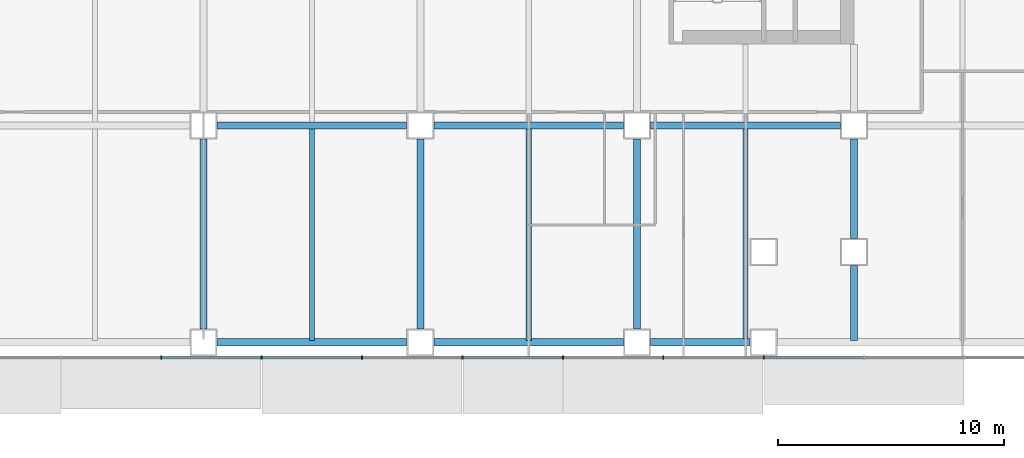
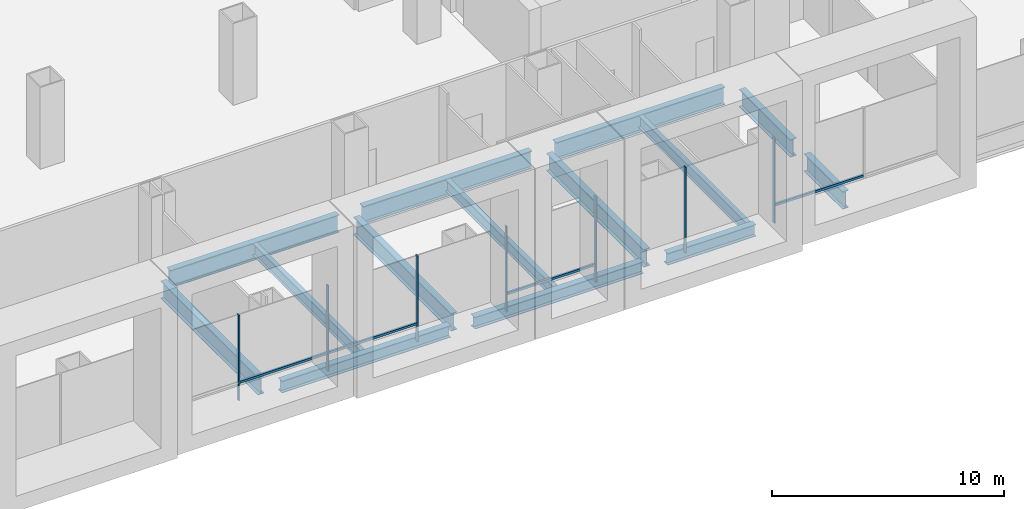
# One storey, part 4 of 23: 14 beams, 11 members, 1 element without a shape of its own.
"""IFC4 building model written with IfcOpenShell, lengths in metres."""

from ifc_helpers import new_model, si_unit, direction, frame, origin, origin_2d, place, context, subcontext, project, spatial, rectangle, i_section, extrude, material, material_profile, profile_set, type_object, element, aggregate, save


model = new_model("IFC4")

# Units and contexts
model_context = context("Model", 3, precision=1e-05, world=origin(), true_north=direction((0.0, 1.0)))
body_context = subcontext(model_context, "Body", "Model", "MODEL_VIEW")
ifc_project = project(units=[si_unit("LENGTHUNIT", "METRE"), si_unit("AREAUNIT", "SQUARE_METRE"), si_unit("VOLUMEUNIT", "CUBIC_METRE"), si_unit("PLANEANGLEUNIT", "RADIAN"), si_unit("MASSUNIT", "GRAM", prefix="KILO")], contexts=[model_context])

# Site, building, storey
site_placement = place(None, origin())
site = spatial("IfcSite", under=ifc_project, at=site_placement, CompositionType="ELEMENT")
building_placement = place(site_placement, origin())
building = spatial("IfcBuilding", under=site, at=building_placement, Name="Cobrizo Arcos Hotel Tower", CompositionType="ELEMENT")
storey_placement = place(building_placement, frame((0.0, 0.0, 15.5)))
storey = spatial("IfcBuildingStorey", under=building, at=storey_placement, Name="L02", CompositionType="ELEMENT", Elevation=15.5)

# Curtain wall, members
ifc_material_1 = material(Name="Aluminium 6063-T6 anodised bronze", Category="aluminium")
curtain_wall_type = type_object("IfcCurtainWallType", Name="CW-A guest facade", PredefinedType="NOTDEFINED", material=ifc_material_1)
curtain_wall_placement = place(storey_placement, origin())
curtain_wall = element("IfcCurtainWall", 1, at=curtain_wall_placement, inside=storey, type_object=curtain_wall_type, Name="CW-A L02 S face", PredefinedType="NOTDEFINED")
ifc_material_profile_1 = material_profile(ifc_material_1, rectangle(XDim=0.14990234375, YDim=0.06005859375, at=origin_2d()), Name="CW-A mullion 150x60")
ifc_profile_set_1 = profile_set([ifc_material_profile_1], Name="Aluminium 6063-T6 anodised bronze")
member_type_1 = type_object("IfcMemberType", Name="CW-A mullion 150x60", PredefinedType="MULLION", material=ifc_profile_set_1)
member_1_placement = place(storey_placement, frame((-6.666748046875, -24.675048828125, 0.0), z_axis=(0.0, 0.0, 1.0), x_axis=(0.0, -1.0, 0.0)))
member_1 = element("IfcMember", 2, at=member_1_placement, type_object=member_type_1, Name="CW-A mullion 8", PredefinedType="MULLION", context=body_context, shape_type="SweptSolid", body=[
    extrude(rectangle(XDim=0.14990234375, YDim=0.06005859375, at=origin_2d()), origin(), (0.0, 0.0, 1.0), 4.5),
])
member_2_placement = place(storey_placement, frame((-2.22216796875, -24.675048828125, 0.0), z_axis=(0.0, 0.0, 1.0), x_axis=(0.0, -1.0, 0.0)))
member_2 = element("IfcMember", 3, at=member_2_placement, type_object=member_type_1, Name="CW-A mullion 9", PredefinedType="MULLION", context=body_context, shape_type="SweptSolid", body=[
    extrude(rectangle(XDim=0.14990234375, YDim=0.06005859375, at=origin_2d()), origin(), (0.0, 0.0, 1.0), 4.5),
])
member_3_placement = place(storey_placement, frame((2.22216796875, -24.675048828125, 0.0), z_axis=(0.0, 0.0, 1.0), x_axis=(0.0, -1.0, 0.0)))
member_3 = element("IfcMember", 4, at=member_3_placement, type_object=member_type_1, Name="CW-A mullion 10", PredefinedType="MULLION", context=body_context, shape_type="SweptSolid", body=[
    extrude(rectangle(XDim=0.14990234375, YDim=0.06005859375, at=origin_2d()), origin(), (0.0, 0.0, 1.0), 4.5),
])
member_4_placement = place(storey_placement, frame((6.666748046875, -24.675048828125, 0.0), z_axis=(0.0, 0.0, 1.0), x_axis=(0.0, -1.0, 0.0)))
member_4 = element("IfcMember", 5, at=member_4_placement, type_object=member_type_1, Name="CW-A mullion 11", PredefinedType="MULLION", context=body_context, shape_type="SweptSolid", body=[
    extrude(rectangle(XDim=0.14990234375, YDim=0.06005859375, at=origin_2d()), origin(), (0.0, 0.0, 1.0), 4.5),
])
member_5_placement = place(storey_placement, frame((11.111083984375, -24.675048828125, 0.0), z_axis=(0.0, 0.0, 1.0), x_axis=(0.0, -1.0, 0.0)))
member_5 = element("IfcMember", 6, at=member_5_placement, type_object=member_type_1, Name="CW-A mullion 12", PredefinedType="MULLION", context=body_context, shape_type="SweptSolid", body=[
    extrude(rectangle(XDim=0.14990234375, YDim=0.06005859375, at=origin_2d()), origin(), (0.0, 0.0, 1.0), 4.5),
])
member_6_placement = place(storey_placement, frame((15.5556640625, -24.675048828125, 0.0), z_axis=(0.0, 0.0, 1.0), x_axis=(0.0, -1.0, 0.0)))
member_6 = element("IfcMember", 7, at=member_6_placement, type_object=member_type_1, Name="CW-A mullion 13", PredefinedType="MULLION", context=body_context, shape_type="SweptSolid", body=[
    extrude(rectangle(XDim=0.14990234375, YDim=0.06005859375, at=origin_2d()), origin(), (0.0, 0.0, 1.0), 4.5),
])
member_7_placement = place(storey_placement, frame((20.0, -24.675048828125, 0.0), z_axis=(0.0, 0.0, 1.0), x_axis=(0.0, -1.0, 0.0)))
member_7 = element("IfcMember", 8, at=member_7_placement, type_object=member_type_1, Name="CW-A mullion 14", PredefinedType="MULLION", context=body_context, shape_type="SweptSolid", body=[
    extrude(rectangle(XDim=0.14990234375, YDim=0.06005859375, at=origin_2d()), origin(), (0.0, 0.0, 1.0), 4.5),
])
ifc_material_profile_2 = material_profile(ifc_material_1, rectangle(XDim=0.10009765625, YDim=0.1201171875, at=origin_2d()), Name="CW-A transom 120x100")
ifc_profile_set_2 = profile_set([ifc_material_profile_2], Name="Aluminium 6063-T6 anodised bronze")
member_type_2 = type_object("IfcMemberType", Name="CW-A transom 120x100", PredefinedType="USERDEFINED", material=ifc_profile_set_2)
member_8_placement = place(storey_placement, frame((-6.63671875, -24.675048828125, 0.929931640625), z_axis=(1.0, 0.0, 0.0), x_axis=(0.0, 1.0, 0.0)))
member_8 = element("IfcMember", 9, at=member_8_placement, type_object=member_type_2, Name="CW-A transom 151", ObjectType="TRANSOM", PredefinedType="USERDEFINED", context=body_context, shape_type="SweptSolid", body=[
    extrude(rectangle(XDim=0.10009765625, YDim=0.1201171875, at=origin_2d()), origin(), (0.0, 0.0, 1.0), 4.384521484375),
])
member_9_placement = place(storey_placement, frame((-2.192138671875, -24.675048828125, 0.929931640625), z_axis=(1.0, 0.0, 0.0), x_axis=(0.0, 1.0, 0.0)))
member_9 = element("IfcMember", 10, at=member_9_placement, type_object=member_type_2, Name="CW-A transom 152", ObjectType="TRANSOM", PredefinedType="USERDEFINED", context=body_context, shape_type="SweptSolid", body=[
    extrude(rectangle(XDim=0.10009765625, YDim=0.1201171875, at=origin_2d()), origin(), (0.0, 0.0, 1.0), 4.38427734375),
])
member_10_placement = place(storey_placement, frame((6.69677734375, -24.675048828125, 0.929931640625), z_axis=(1.0, 0.0, 0.0), x_axis=(0.0, 1.0, 0.0)))
member_10 = element("IfcMember", 11, at=member_10_placement, type_object=member_type_2, Name="CW-A transom 154", ObjectType="TRANSOM", PredefinedType="USERDEFINED", context=body_context, shape_type="SweptSolid", body=[
    extrude(rectangle(XDim=0.10009765625, YDim=0.1201171875, at=origin_2d()), origin(), (0.0, 0.0, 1.0), 4.38427734375),
])
member_11_placement = place(storey_placement, frame((20.030029296875, -24.675048828125, 0.929931640625), z_axis=(1.0, 0.0, 0.0), x_axis=(0.0, 1.0, 0.0)))
member_11 = element("IfcMember", 12, at=member_11_placement, type_object=member_type_2, Name="CW-A transom 157", ObjectType="TRANSOM", PredefinedType="USERDEFINED", context=body_context, shape_type="SweptSolid", body=[
    extrude(rectangle(XDim=0.10009765625, YDim=0.1201171875, at=origin_2d()), origin(), (0.0, 0.0, 1.0), 4.384521484375),
])
aggregate(curtain_wall, [member_1, member_2, member_3, member_4, member_5, member_6, member_7, member_8, member_9, member_10, member_11])

# Beams
ifc_material_2 = material(Name="Steel ASTM A992 Grade 50", Category="steel")
ifc_material_profile_3 = material_profile(ifc_material_2, i_section(OverallWidth=0.32763671875, OverallDepth=0.622314453125, WebThickness=0.015380859375, FlangeThickness=0.0244140625, at=origin_2d()), Name="W24X131")
ifc_profile_set_3 = profile_set([ifc_material_profile_3], Name="Steel ASTM A992 Grade 50")
beam_type_1 = type_object("IfcBeamType", Name="W24X131 spandrel", PredefinedType="SPANDREL", material=ifc_profile_set_3)
beam_1_placement = place(storey_placement, frame((-4.199951171875, -24.0, -0.510986328125), z_axis=(1.0, 0.0, 0.0), x_axis=(0.0, 1.0, 0.0)))
element("IfcBeam", 13, at=beam_1_placement, inside=storey, type_object=beam_type_1, Name="Spandrel beam W24X131, L02, no. 011", PredefinedType="SPANDREL", context=body_context, shape_type="SweptSolid", body=[
    extrude(i_section(OverallWidth=0.32763671875, OverallDepth=0.622314453125, WebThickness=0.015380859375, FlangeThickness=0.0244140625, at=origin_2d()), origin(), (0.0, 0.0, 1.0), 8.39990234375),
])
beam_2_placement = place(storey_placement, frame((5.39990234375, -24.0, -0.510986328125), z_axis=(1.0, 0.0, 0.0), x_axis=(0.0, 1.0, 0.0)))
element("IfcBeam", 14, at=beam_2_placement, inside=storey, type_object=beam_type_1, Name="Spandrel beam W24X131, L02, no. 012", PredefinedType="SPANDREL", context=body_context, shape_type="SweptSolid", body=[
    extrude(i_section(OverallWidth=0.32763671875, OverallDepth=0.622314453125, WebThickness=0.015380859375, FlangeThickness=0.0244140625, at=origin_2d()), origin(), (0.0, 0.0, 1.0), 8.400146484375),
])
beam_3_placement = place(storey_placement, frame((15.0, -24.0, -0.510986328125), z_axis=(1.0, 0.0, 0.0), x_axis=(0.0, 1.0, 0.0)))
element("IfcBeam", 15, at=beam_3_placement, inside=storey, type_object=beam_type_1, Name="Spandrel beam W24X131, L02, no. 013", PredefinedType="SPANDREL", context=body_context, shape_type="SweptSolid", body=[
    extrude(i_section(OverallWidth=0.32763671875, OverallDepth=0.622314453125, WebThickness=0.015380859375, FlangeThickness=0.0244140625, at=origin_2d()), origin(), (0.0, 0.0, 1.0), 4.39990234375),
])
ifc_material_profile_4 = material_profile(ifc_material_2, i_section(OverallWidth=0.23046875, OverallDepth=0.6171875, WebThickness=0.01318359375, FlangeThickness=0.022216796875, at=origin_2d()), Name="W24X94")
ifc_profile_set_4 = profile_set([ifc_material_profile_4], Name="Steel ASTM A992 Grade 50")
beam_type_2 = type_object("IfcBeamType", Name="W24X94 podium joist", PredefinedType="JOIST", material=ifc_profile_set_4)
for number, where, z_axis, x_axis, name in (
    (16, (0.0, -23.909912109375, -0.508544921875), (0.0, 1.0, 0.0), (-1.0, 0.0, 0.0), "Podium joist PJ1, L02, no. 015"),
    (17, (9.60009765625, -23.909912109375, -0.508544921875), (0.0, 1.0, 0.0), (-1.0, 0.0, 0.0), "Podium joist PJ1, L02, no. 020"),
    (18, (19.199951171875, -23.909912109375, -0.508544921875), (0.0, 1.0, 0.0), (-1.0, 0.0, 0.0), "Podium joist PJ1, L02, no. 025"),
):
    element("IfcBeam", number, at=place(storey_placement, frame(where, z_axis=z_axis, x_axis=x_axis)), inside=storey, type_object=beam_type_2, Name=name, PredefinedType="JOIST", context=body_context, shape_type="SweptSolid", body=[
        extrude(i_section(OverallWidth=0.23046875, OverallDepth=0.6171875, WebThickness=0.01318359375, FlangeThickness=0.022216796875, at=origin_2d()), origin(), (0.0, 0.0, 1.0), 9.356201171875),
    ])
ifc_material_profile_5 = material_profile(ifc_material_2, i_section(OverallWidth=0.307373046875, OverallDepth=0.927001953125, WebThickness=0.01953125, FlangeThickness=0.031982421875, at=origin_2d()), Name="W36X194")
ifc_profile_set_5 = profile_set([ifc_material_profile_5], Name="Steel ASTM A992 Grade 50")
beam_type_3 = type_object("IfcBeamType", Name="W36X194 podium girder", PredefinedType="BEAM", material=ifc_profile_set_5)
beam_4_placement = place(storey_placement, frame((-4.199951171875, -14.39990234375, -0.66357421875), z_axis=(1.0, 0.0, 0.0), x_axis=(0.0, 1.0, 0.0)))
element("IfcBeam", 19, at=beam_4_placement, inside=storey, type_object=beam_type_3, Name="Podium girder PG1, L02, no. 005", PredefinedType="BEAM", context=body_context, shape_type="SweptSolid", body=[
    extrude(i_section(OverallWidth=0.307373046875, OverallDepth=0.927001953125, WebThickness=0.01953125, FlangeThickness=0.031982421875, at=origin_2d()), origin(), (0.0, 0.0, 1.0), 8.39990234375),
])
beam_5_placement = place(storey_placement, frame((5.39990234375, -14.39990234375, -0.66357421875), z_axis=(1.0, 0.0, 0.0), x_axis=(0.0, 1.0, 0.0)))
element("IfcBeam", 20, at=beam_5_placement, inside=storey, type_object=beam_type_3, Name="Podium girder PG1, L02, no. 006", PredefinedType="BEAM", context=body_context, shape_type="SweptSolid", body=[
    extrude(i_section(OverallWidth=0.307373046875, OverallDepth=0.927001953125, WebThickness=0.01953125, FlangeThickness=0.031982421875, at=origin_2d()), origin(), (0.0, 0.0, 1.0), 8.400146484375),
])
for number, where, z_axis, x_axis, name in (
    (21, (15.0, -14.39990234375, -0.66357421875), (1.0, 0.0, 0.0), (0.0, 1.0, 0.0), "Podium girder PG1, L02, no. 007"),
    (22, (-4.800048828125, -23.39990234375, -0.66357421875), (0.0, 1.0, 0.0), (-1.0, 0.0, 0.0), "Podium girder PG1, L02, no. 051"),
    (23, (4.800048828125, -23.39990234375, -0.66357421875), (0.0, 1.0, 0.0), (-1.0, 0.0, 0.0), "Podium girder PG1, L02, no. 056"),
    (24, (14.39990234375, -23.39990234375, -0.66357421875), (0.0, 1.0, 0.0), (-1.0, 0.0, 0.0), "Podium girder PG1, L02, no. 061"),
):
    element("IfcBeam", number, at=place(storey_placement, frame(where, z_axis=z_axis, x_axis=x_axis)), inside=storey, type_object=beam_type_3, Name=name, PredefinedType="BEAM", context=body_context, shape_type="SweptSolid", body=[
        extrude(i_section(OverallWidth=0.307373046875, OverallDepth=0.927001953125, WebThickness=0.01953125, FlangeThickness=0.031982421875, at=origin_2d()), origin(), (0.0, 0.0, 1.0), 8.39990234375),
    ])
beam_6_placement = place(storey_placement, frame((24.0, -23.909912109375, -0.66357421875), z_axis=(0.0, 1.0, 0.0), x_axis=(-1.0, 0.0, 0.0)))
element("IfcBeam", 25, at=beam_6_placement, inside=storey, type_object=beam_type_3, Name="Podium girder PG1, L02, no. 066", PredefinedType="BEAM", context=body_context, shape_type="SweptSolid", body=[
    extrude(i_section(OverallWidth=0.307373046875, OverallDepth=0.927001953125, WebThickness=0.01953125, FlangeThickness=0.031982421875, at=origin_2d()), origin(), (0.0, 0.0, 1.0), 3.309814453125),
])
beam_7_placement = place(storey_placement, frame((24.0, -19.39990234375, -0.66357421875), z_axis=(0.0, 1.0, 0.0), x_axis=(-1.0, 0.0, 0.0)))
element("IfcBeam", 26, at=beam_7_placement, inside=storey, type_object=beam_type_3, Name="Podium girder PG1, L02, no. 067", PredefinedType="BEAM", context=body_context, shape_type="SweptSolid", body=[
    extrude(i_section(OverallWidth=0.307373046875, OverallDepth=0.927001953125, WebThickness=0.01953125, FlangeThickness=0.031982421875, at=origin_2d()), origin(), (0.0, 0.0, 1.0), 4.39990234375),
])

save(model, "model.ifc")
